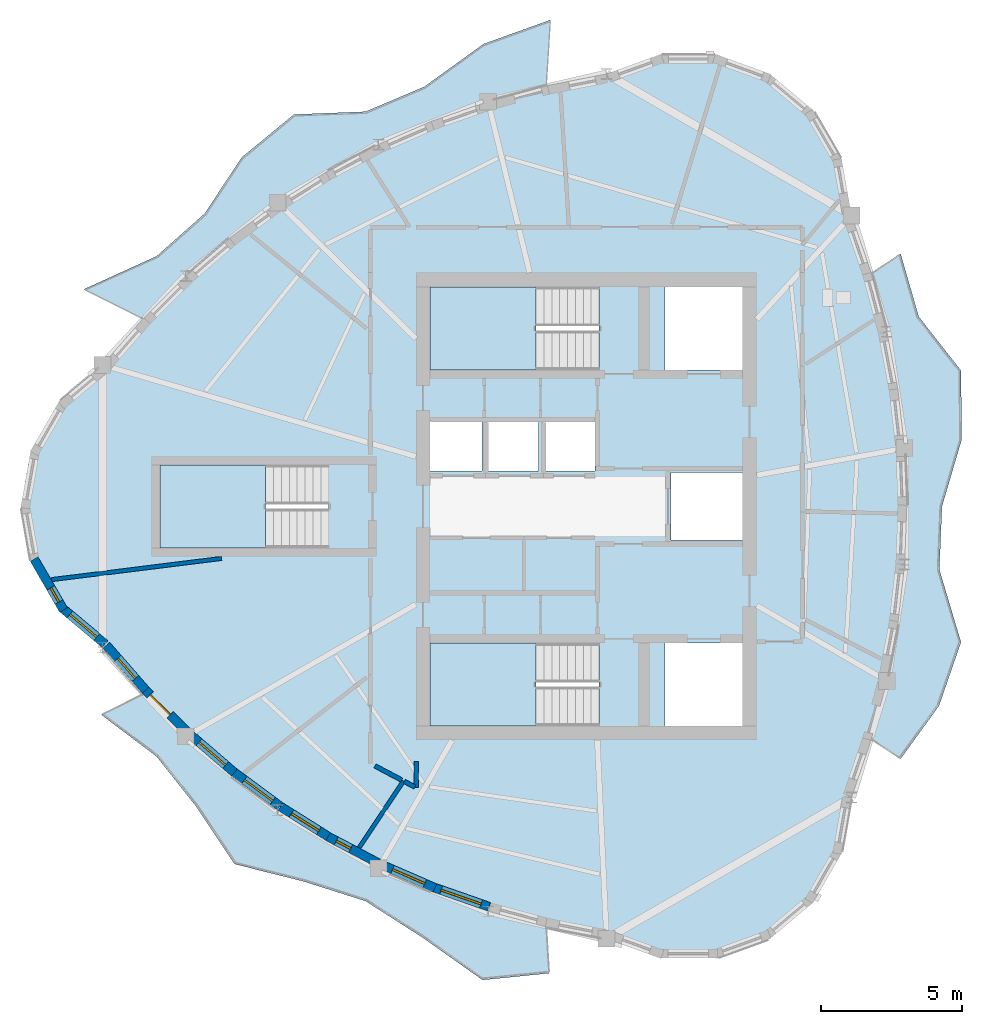
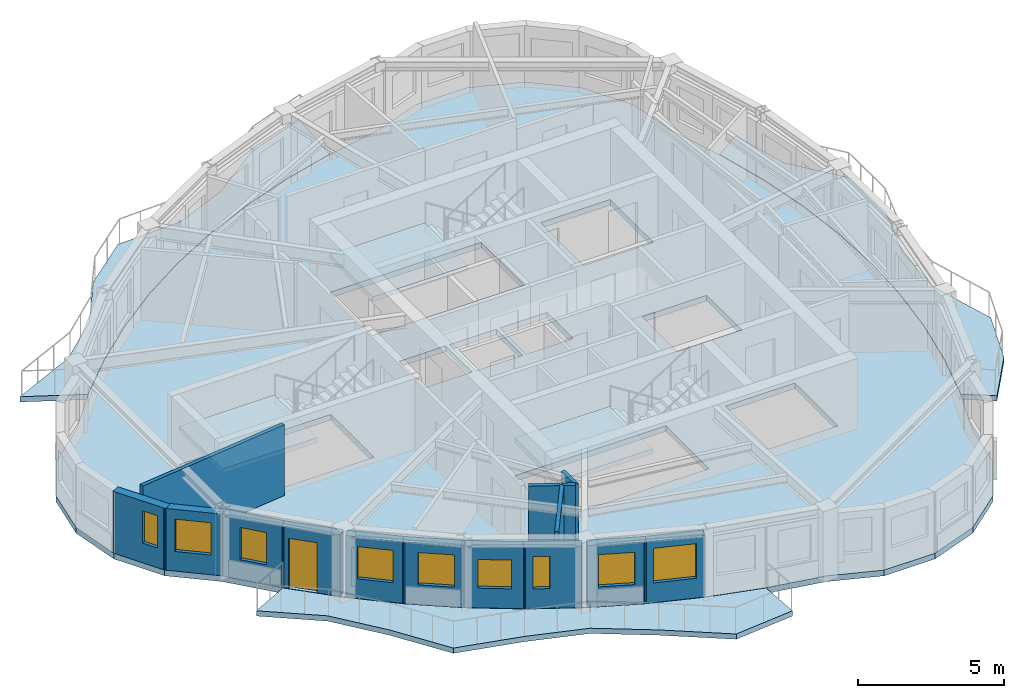
# One storey, part 2 of 11: 15 walls, 9 windows, 7 slabs, 1 door, 10 openings, 3 elements without a shape of their own.
"""IFC4 building model written with IfcOpenShell, lengths in metres."""

from ifc_helpers import new_model, si_unit, direction, frame, frame_2d, origin, place, context, subcontext, project, spatial, polyline, rectangle, outline, extrude, source, transform, mapped, material, layer, layer_set, type_object, element, fill, aggregate, save


model = new_model("IFC4")

# Units and contexts
model_context = context("Model", 3, precision=1e-05, world=origin(), true_north=direction((0.0, 1.0)))
body_context = subcontext(model_context, "Body", "Model", "MODEL_VIEW")
ifc_project = project(units=[si_unit("LENGTHUNIT", "METRE"), si_unit("AREAUNIT", "SQUARE_METRE"), si_unit("VOLUMEUNIT", "CUBIC_METRE"), si_unit("PLANEANGLEUNIT", "RADIAN"), si_unit("MASSUNIT", "GRAM", prefix="KILO")], contexts=[model_context])

# Site, building, storey
site_placement = place(None, origin())
site = spatial("IfcSite", under=ifc_project, at=site_placement, CompositionType="ELEMENT")
building_placement = place(site_placement, origin())
building = spatial("IfcBuilding", under=site, at=building_placement, Name="Qafzar Sky-Pleat Residences", CompositionType="ELEMENT")
storey_placement = place(building_placement, frame((0.0, 0.0, 243.60009765625)))
storey = spatial("IfcBuildingStorey", under=building, at=storey_placement, Name="L73", CompositionType="ELEMENT", Elevation=243.60009765625)

# Slabs
ifc_material_1 = material(Name="Concrete C40/50", Category="concrete")
ifc_layer_1 = layer(ifc_material_1, 0.219970703125)
ifc_layer_set_1 = layer_set([ifc_layer_1], Name="Concrete C40/50")
slab_type_1 = type_object("IfcSlabType", Name="SLAB-BAL-220", PredefinedType="USERDEFINED", material=ifc_layer_set_1)
slab_1_placement = place(storey_placement, frame((0.0, 0.0, -0.22021484375)))
element("IfcSlab", 1, at=slab_1_placement, inside=storey, type_object=slab_type_1, Name="L73 Pleated Stone Balcony 1", ObjectType="BALCONY", PredefinedType="USERDEFINED", context=body_context, shape_type="SweptSolid", body=[
    extrude(outline(polyline([(41.03515625, 19.793212890625), (41.4287109375, 21.862060546875), (41.664794921875, 23.930908203125), (41.743408203125, 26.0), (41.664794921875, 28.069091796875), (41.4287109375, 30.137939453125), (41.03515625, 32.206787109375), (40.484619140625, 34.275390625), (41.516357421875, 34.95947265625), (42.153076171875, 32.739013671875), (43.656005859375, 30.82421875), (43.6796875, 28.3740234375), (42.981201171875, 26.0), (42.888671875, 23.74560546875), (43.656005859375, 21.17578125), (42.875244140625, 18.9169921875), (41.516357421875, 17.04052734375), (40.484619140625, 17.724609375), (41.03515625, 19.793212890625)])), origin(), (0.0, 0.0, 1.0), 0.22021484375),
])
slab_2_placement = place(storey_placement, frame((0.0, 0.0, -0.22021484375)))
element("IfcSlab", 2, at=slab_2_placement, inside=storey, type_object=slab_type_1, Name="L73 Pleated Stone Balcony 2", ObjectType="BALCONY", PredefinedType="USERDEFINED", context=body_context, shape_type="SweptSolid", body=[
    extrude(outline(polyline([(26.857666015625, 40.39208984375), (24.869140625, 39.698486328125), (22.95947265625, 38.868408203125), (21.12841796875, 37.902099609375), (19.3759765625, 36.799560546875), (17.7021484375, 35.560546875), (16.107177734375, 34.185302734375), (14.591064453125, 32.674072265625), (12.50439453125, 33.712646484375), (15.08740234375, 34.88720703125), (16.794921875, 36.40283203125), (18.104248046875, 38.39208984375), (19.962890625, 39.920654296875), (22.508056640625, 40.021240234375), (24.593505859375, 40.905517578125), (26.6962890625, 42.423828125), (29.068359375, 43.27587890625), (28.924560546875, 40.94970703125), (26.857666015625, 40.39208984375)])), origin(), (0.0, 0.0, 1.0), 0.22021484375),
])
slab_3_placement = place(storey_placement, frame((0.0, 0.0, -0.22021484375)))
element("IfcSlab", 3, at=slab_3_placement, inside=storey, type_object=slab_type_1, Name="L73 Pleated Stone Balcony 3", ObjectType="BALCONY", PredefinedType="USERDEFINED", context=body_context, shape_type="SweptSolid", body=[
    extrude(outline(polyline([(16.107177734375, 17.814697265625), (17.7021484375, 16.439453125), (19.3759765625, 15.200439453125), (21.12841796875, 14.097900390625), (22.95947265625, 13.131591796875), (24.869140625, 12.301513671875), (26.857666015625, 11.60791015625), (28.924560546875, 11.05029296875), (29.025634765625, 9.41552734375), (26.664794921875, 9.177490234375), (24.50439453125, 10.70458984375), (22.508056640625, 11.978759765625), (20.309326171875, 12.679443359375), (17.8544921875, 13.29541015625), (16.501708984375, 15.324951171875), (15.08740234375, 17.11279296875), (13.124755859375, 18.595947265625), (14.591064453125, 19.325927734375), (16.107177734375, 17.814697265625)])), origin(), (0.0, 0.0, 1.0), 0.22021484375),
])
ifc_layer_2 = layer(ifc_material_1, 0.239990234375)
ifc_layer_set_2 = layer_set([ifc_layer_2], Name="Concrete C40/50")
slab_type_2 = type_object("IfcSlabType", Name="SLAB-FLR-240", PredefinedType="FLOOR", material=ifc_layer_set_2)
slab_4_placement = place(storey_placement, frame((0.0, 0.0, -0.239990234375)))
element("IfcSlab", 4, at=slab_4_placement, inside=storey, type_object=slab_type_2, Name="L73 Structural Floor Slab", PredefinedType="FLOOR", context=body_context, shape_type="SweptSolid", body=[
    extrude(outline(polyline([(13.1650390625, 31.02294921875), (11.621826171875, 29.728271484375), (10.61474609375, 27.983642578125), (10.264892578125, 26.0), (10.61474609375, 24.016357421875), (11.621826171875, 22.271728515625), (13.1650390625, 20.97705078125), (14.601806640625, 19.331298828125), (16.1171875, 17.8212890625), (17.7109375, 16.447509765625), (19.38330078125, 15.2099609375), (21.13427734375, 14.1083984375), (22.9638671875, 13.142578125), (24.871826171875, 12.313232421875), (26.858642578125, 11.619873046875), (28.923828125, 11.0625), (31.0673828125, 10.64111328125), (32.960205078125, 9.9521484375), (34.974609375, 9.9521484375), (36.867431640625, 10.64111328125), (38.41064453125, 11.935791015625), (39.417724609375, 13.680419921875), (39.767578125, 15.6640625), (40.474609375, 17.731201171875), (41.0244140625, 19.79833984375), (41.4169921875, 21.865478515625), (41.65283203125, 23.932861328125), (41.731201171875, 26.0), (41.65283203125, 28.067138671875), (41.4169921875, 30.134521484375), (41.0244140625, 32.20166015625), (40.474609375, 34.268798828125), (39.767578125, 36.3359375), (39.417724609375, 38.319580078125), (38.41064453125, 40.064208984375), (36.867431640625, 41.35888671875), (34.974609375, 42.0478515625), (32.960205078125, 42.0478515625), (31.0673828125, 41.35888671875), (28.923828125, 40.9375), (26.858642578125, 40.380126953125), (24.871826171875, 39.686767578125), (22.9638671875, 38.857421875), (21.13427734375, 37.8916015625), (19.38330078125, 36.7900390625), (17.7109375, 35.552490234375), (16.1171875, 34.1787109375), (14.601806640625, 32.668701171875), (13.1650390625, 31.02294921875)]), holes=[polyline([(30.797119140625, 21.14990234375), (24.800048828125, 21.14990234375), (24.800048828125, 18.199951171875), (30.797119140625, 18.199951171875), (30.797119140625, 21.14990234375)]), polyline([(30.797119140625, 33.800048828125), (24.800048828125, 33.800048828125), (24.800048828125, 30.85009765625), (30.797119140625, 30.85009765625), (30.797119140625, 33.800048828125)]), polyline([(21.197021484375, 27.47509765625), (15.199951171875, 27.47509765625), (15.199951171875, 24.52490234375), (21.197021484375, 24.52490234375), (21.197021484375, 27.47509765625)]), polyline([(24.800048828125, 27.25), (26.64990234375, 27.25), (26.64990234375, 29.050048828125), (24.800048828125, 29.050048828125), (24.800048828125, 27.25)]), polyline([(26.800048828125, 27.25), (28.64990234375, 27.25), (28.64990234375, 29.050048828125), (26.800048828125, 29.050048828125), (26.800048828125, 27.25)]), polyline([(28.800048828125, 27.25), (30.64990234375, 27.25), (30.64990234375, 29.050048828125), (28.800048828125, 29.050048828125), (28.800048828125, 27.25)]), polyline([(33.14990234375, 18.199951171875), (35.89990234375, 18.199951171875), (35.89990234375, 21.14990234375), (33.14990234375, 21.14990234375), (33.14990234375, 18.199951171875)]), polyline([(33.14990234375, 30.85009765625), (35.89990234375, 30.85009765625), (35.89990234375, 33.800048828125), (33.14990234375, 33.800048828125), (33.14990234375, 30.85009765625)]), polyline([(33.35009765625, 24.800048828125), (35.89990234375, 24.800048828125), (35.89990234375, 27.199951171875), (33.35009765625, 27.199951171875), (33.35009765625, 24.800048828125)])]), origin(), (0.0, 0.0, 1.0), 0.239990234375),
])

# Stair, slab
stair_type = type_object("IfcStairType", Name="STAIR-H320", PredefinedType="HALF_TURN_STAIR", material=ifc_material_1)
stair_1_placement = place(storey_placement, origin())
stair_1 = element("IfcStair", 5, at=stair_1_placement, inside=storey, type_object=stair_type, Name="L73 Protected Exit Stair ST1", PredefinedType="HALF_TURN_STAIR")
ifc_layer_3 = layer(ifc_material_1, 0.199951171875)
ifc_layer_set_3 = layer_set([ifc_layer_3], Name="Concrete C40/50")
slab_type_3 = type_object("IfcSlabType", Name="SLAB-LANDING-200", PredefinedType="LANDING", material=ifc_layer_set_3)
slab_5_placement = place(storey_placement, frame((0.0, 0.0, 1.39990234375)))
slab_5 = element("IfcSlab", 6, at=slab_5_placement, type_object=slab_type_3, Name="ST1 landing 1", PredefinedType="LANDING", context=body_context, shape_type="SweptSolid", body=[
    extrude(outline(polyline([(28.56005859375, 21.14990234375), (24.800048828125, 21.14990234375), (24.800048828125, 18.199951171875), (28.56005859375, 18.199951171875), (28.56005859375, 21.14990234375)])), origin(), (0.0, 0.0, 1.0), 0.199951171875),
])
aggregate(stair_1, [slab_5])

stair_2_placement = place(storey_placement, origin())
stair_2 = element("IfcStair", 7, at=stair_2_placement, inside=storey, type_object=stair_type, Name="L73 Protected Exit Stair ST2", PredefinedType="HALF_TURN_STAIR")
slab_6_placement = place(storey_placement, frame((0.0, 0.0, 1.39990234375)))
slab_6 = element("IfcSlab", 8, at=slab_6_placement, type_object=slab_type_3, Name="ST2 landing 1", PredefinedType="LANDING", context=body_context, shape_type="SweptSolid", body=[
    extrude(outline(polyline([(28.56005859375, 33.800048828125), (24.800048828125, 33.800048828125), (24.800048828125, 30.85009765625), (28.56005859375, 30.85009765625), (28.56005859375, 33.800048828125)])), origin(), (0.0, 0.0, 1.0), 0.199951171875),
])
aggregate(stair_2, [slab_6])

stair_3_placement = place(storey_placement, origin())
stair_3 = element("IfcStair", 9, at=stair_3_placement, inside=storey, type_object=stair_type, Name="L73 Protected Exit Stair ST3", PredefinedType="HALF_TURN_STAIR")
slab_7_placement = place(storey_placement, frame((0.0, 0.0, 1.39990234375)))
slab_7 = element("IfcSlab", 10, at=slab_7_placement, type_object=slab_type_3, Name="ST3 landing 1", PredefinedType="LANDING", context=body_context, shape_type="SweptSolid", body=[
    extrude(outline(polyline([(18.9599609375, 27.47509765625), (15.199951171875, 27.47509765625), (15.199951171875, 24.52490234375), (18.9599609375, 24.52490234375), (18.9599609375, 27.47509765625)])), origin(), (0.0, 0.0, 1.0), 0.199951171875),
])
aggregate(stair_3, [slab_7])

# Walls
ifc_material_2 = material(Name="Acoustic gypsum plasterboard partition", Category="gypsum")
ifc_layer_4 = layer(ifc_material_2, 0.159912109375)
ifc_layer_set_4 = layer_set([ifc_layer_4], Name="Acoustic gypsum plasterboard partition")
wall_type_1 = type_object("IfcWallType", Name="PART-COR-160", PredefinedType="PARTITIONING", material=ifc_layer_set_4)
wall_1_placement = place(storey_placement, frame((22.83935546875, 16.781494140625, 0.0), z_axis=(0.0, 0.0, 1.0), x_axis=(0.884533287542, -0.466477076853, 0.0)))
element("IfcWall", 11, at=wall_1_placement, inside=storey, type_object=wall_type_1, Name="L73 Partition Wall PART-L73-PW-025", PredefinedType="PARTITIONING", context=body_context, shape_type="SweptSolid", body=[
    extrude(rectangle(XDim=1.073974609375, YDim=0.159912109375, at=frame_2d((0.537109375, 0.0))), origin(), (0.0, 0.0, 1.0), 2.9599609375),
])
wall_2_placement = place(storey_placement, frame((24.300048828125, 16.010986328125, 0.0), z_axis=(0.0, 0.0, 1.0), x_axis=(0.0, 1.0, 0.0)))
element("IfcWall", 12, at=wall_2_placement, inside=storey, type_object=wall_type_1, Name="L73 Partition Wall PART-L73-PW-027", PredefinedType="PARTITIONING", context=body_context, shape_type="SweptSolid", body=[
    extrude(rectangle(XDim=0.929931640625, YDim=0.159912109375, at=frame_2d((0.46484375, 0.0))), origin(), (0.0, 0.0, 1.0), 2.9599609375),
])
wall_3_placement = place(storey_placement, frame((23.881103515625, 16.231689453125, 0.0), z_axis=(0.0, 0.0, 1.0), x_axis=(0.884769878191, -0.466028177953, 0.0)))
element("IfcWall", 13, at=wall_3_placement, inside=storey, type_object=wall_type_1, Name="L73 Partition Wall PART-L73-PW-032", PredefinedType="PARTITIONING", context=body_context, shape_type="SweptSolid", body=[
    extrude(rectangle(XDim=0.428466796875, YDim=0.159912109375, at=frame_2d((0.21435546875, 0.0))), origin(), (0.0, 0.0, 1.0), 2.9599609375),
])
ifc_layer_5 = layer(ifc_material_2, 0.14501953125)
ifc_layer_set_5 = layer_set([ifc_layer_5], Name="Acoustic gypsum plasterboard partition")
wall_type_2 = type_object("IfcWallType", Name="PART-UNIT-145", PredefinedType="PARTITIONING", material=ifc_layer_set_5)
wall_4_placement = place(storey_placement, frame((11.35400390625, 23.398193359375, 0.0), z_axis=(0.0, 0.0, 1.0), x_axis=(0.992337032495, 0.123560567901, 0.0)))
element("IfcWall", 14, at=wall_4_placement, inside=storey, type_object=wall_type_2, Name="L73 Partition Wall PART-L73-PW-012", PredefinedType="PARTITIONING", context=body_context, shape_type="SweptSolid", body=[
    extrude(rectangle(XDim=6.083740234375, YDim=0.14501953125, at=frame_2d((3.0419921875, 0.0))), origin(), (0.0, 0.0, 1.0), 2.9599609375),
])
wall_5_placement = place(storey_placement, frame((22.281005859375, 13.882080078125, 0.0), z_axis=(0.0, 0.0, 1.0), x_axis=(0.554204156683, 0.832380773874, 0.0)))
element("IfcWall", 15, at=wall_5_placement, inside=storey, type_object=wall_type_2, Name="L73 Partition Wall PART-L73-PW-020", PredefinedType="PARTITIONING", context=body_context, shape_type="SweptSolid", body=[
    extrude(rectangle(XDim=2.840087890625, YDim=0.14501953125, at=frame_2d((1.419921875, 0.0))), origin(), (0.0, 0.0, 1.0), 2.9599609375),
])

# Wall, opening, window
ifc_material_3 = material(Name="Precast concrete C40/50 with honed Riyadh limestone", Category="concrete")
ifc_layer_6 = layer(ifc_material_3, 0.320068359375)
ifc_layer_set_6 = layer_set([ifc_layer_6], Name="Precast concrete C40/50 with honed Riyadh limestone")
wall_type_3 = type_object("IfcWallType", Name="WALL-EXT-320", PredefinedType="SOLIDWALL", material=ifc_layer_set_6)
wall_6_placement = place(storey_placement, frame((10.734375, 24.129150390625, 0.0), z_axis=(0.0, 0.0, 1.0), x_axis=(0.499995423472, -0.866028046028, 0.0)))
wall_6 = element("IfcWall", 16, at=wall_6_placement, inside=storey, type_object=wall_type_3, Name="L73 Limestone Facade Wall 5", PredefinedType="SOLIDWALL", context=body_context, shape_type="SweptSolid", body=[
    extrude(rectangle(XDim=2.09033203125, YDim=0.320068359375, at=frame_2d((1.045166015625, 0.0))), origin(), (0.0, 0.0, 1.0), 2.579833984375),
])
opening_1_placement = place(wall_6_placement, frame((1.182373046875, 0.0, 0.820068359375)))
opening_1 = element("IfcOpeningElement", 17, at=opening_1_placement, cuts=wall_6, Name="Opening WN-17", PredefinedType="OPENING", context=body_context, shape_type="SweptSolid", body=[
    extrude(rectangle(XDim=0.580078125, YDim=1.35009765625, at=frame_2d((0.2900390625, 0.675048828125))), frame((0.0, 0.169921875, 0.0), z_axis=(0.0, -1.0, 0.0), x_axis=(1.0, 0.0, 0.0)), (0.0, 0.0, 1.0), 0.340087890625),
])
ifc_material_4 = material(Name="Solar-control low-E glass in bronze aluminium frame", Category="glass")
window_type_1 = type_object("IfcWindowType", Name="WIN-17", PartitioningType="SINGLE_PANEL", PredefinedType="WINDOW", material=ifc_material_4)
shared_shape_1 = source(origin(), body_context, "Body", "SweptSolid", [
    extrude(rectangle(XDim=0.580078125, YDim=1.35009765625, at=frame_2d((0.2900390625, 0.675048828125))), frame((0.0, 0.030029296875, 0.0), z_axis=(0.0, -1.0, 0.0), x_axis=(1.0, 0.0, 0.0)), (0.0, 0.0, 1.0), 0.06005859375),
])
window_1_placement = place(opening_1_placement, origin())
window_1 = element("IfcWindow", 18, at=window_1_placement, inside=storey, type_object=window_type_1, Name="L73 Punched Facade Window 05-2", OverallHeight=1.35009765625, OverallWidth=0.580078125, PartitioningType="SINGLE_PANEL", PredefinedType="WINDOW", context=body_context, shape_type="MappedRepresentation", body=[
    mapped(shared_shape_1, transform((0.0, 0.0, 0.0), x_axis=(1.0, 0.0, 0.0), y_axis=(0.0, 1.0, 0.0), z_axis=(0.0, 0.0, 1.0), scale=1.0)),
])
fill(opening_1, window_1)

wall_7_placement = place(storey_placement, frame((11.695556640625, 22.418701171875, 0.0), z_axis=(0.0, 0.0, 1.0), x_axis=(0.766099948115, -0.642721455608, 0.0)))
wall_7 = element("IfcWall", 19, at=wall_7_placement, inside=storey, type_object=wall_type_3, Name="L73 Limestone Facade Wall 6", PredefinedType="SOLIDWALL", context=body_context, shape_type="SweptSolid", body=[
    extrude(rectangle(XDim=2.0322265625, YDim=0.320068359375, at=frame_2d((1.01611328125, 0.0))), origin(), (0.0, 0.0, 1.0), 2.579833984375),
])
opening_2_placement = place(wall_7_placement, frame((0.401123046875, 0.0, 0.820068359375)))
opening_2 = element("IfcOpeningElement", 20, at=opening_2_placement, cuts=wall_7, Name="Opening WN-11", PredefinedType="OPENING", context=body_context, shape_type="SweptSolid", body=[
    extrude(rectangle(XDim=1.25, YDim=1.35009765625, at=frame_2d((0.625, 0.675048828125))), frame((0.0, 0.169921875, 0.0), z_axis=(0.0, -1.0, 0.0), x_axis=(1.0, 0.0, 0.0)), (0.0, 0.0, 1.0), 0.340087890625),
])
window_type_2 = type_object("IfcWindowType", Name="WIN-11", PartitioningType="SINGLE_PANEL", PredefinedType="WINDOW", material=ifc_material_4)
shared_shape_2 = source(origin(), body_context, "Body", "SweptSolid", [
    extrude(rectangle(XDim=1.25, YDim=1.35009765625, at=frame_2d((0.625, 0.675048828125))), frame((0.0, 0.030029296875, 0.0), z_axis=(0.0, -1.0, 0.0), x_axis=(1.0, 0.0, 0.0)), (0.0, 0.0, 1.0), 0.06005859375),
])
window_2_placement = place(opening_2_placement, origin())
window_2 = element("IfcWindow", 21, at=window_2_placement, inside=storey, type_object=window_type_2, Name="L73 Punched Facade Window 06", OverallHeight=1.35009765625, OverallWidth=1.25, PartitioningType="SINGLE_PANEL", PredefinedType="WINDOW", context=body_context, shape_type="MappedRepresentation", body=[
    mapped(shared_shape_2, transform((0.0, 0.0, 0.0), x_axis=(1.0, 0.0, 0.0), y_axis=(0.0, 1.0, 0.0), z_axis=(0.0, 0.0, 1.0), scale=1.0)),
])
fill(opening_2, window_2)

wall_8_placement = place(storey_placement, frame((13.298583984375, 21.0673828125, 0.0), z_axis=(0.0, 0.0, 1.0), x_axis=(0.657609731914, -0.753358772759, 0.0)))
wall_8 = element("IfcWall", 22, at=wall_8_placement, inside=storey, type_object=wall_type_3, Name="L73 Limestone Facade Wall 7", PredefinedType="SOLIDWALL", context=body_context, shape_type="SweptSolid", body=[
    extrude(rectangle(XDim=2.203125, YDim=0.320068359375, at=frame_2d((1.1015625, 0.0))), origin(), (0.0, 0.0, 1.0), 2.579833984375),
])
opening_3_placement = place(wall_8_placement, frame((0.616455078125, 0.0, 0.820068359375)))
opening_3 = element("IfcOpeningElement", 23, at=opening_3_placement, cuts=wall_8, Name="Opening WN-12", PredefinedType="OPENING", context=body_context, shape_type="SweptSolid", body=[
    extrude(rectangle(XDim=0.949951171875, YDim=1.35009765625, at=frame_2d((0.47509765625, 0.675048828125))), frame((0.0, 0.169921875, 0.0), z_axis=(0.0, -1.0, 0.0), x_axis=(1.0, 0.0, 0.0)), (0.0, 0.0, 1.0), 0.340087890625),
])
window_type_3 = type_object("IfcWindowType", Name="WIN-12", PartitioningType="SINGLE_PANEL", PredefinedType="WINDOW", material=ifc_material_4)
shared_shape_3 = source(origin(), body_context, "Body", "SweptSolid", [
    extrude(rectangle(XDim=0.949951171875, YDim=1.35009765625, at=frame_2d((0.47509765625, 0.675048828125))), frame((0.0, 0.030029296875, 0.0), z_axis=(0.0, -1.0, 0.0), x_axis=(1.0, 0.0, 0.0)), (0.0, 0.0, 1.0), 0.06005859375),
])
window_3_placement = place(opening_3_placement, origin())
window_3 = element("IfcWindow", 24, at=window_3_placement, inside=storey, type_object=window_type_3, Name="L73 Punched Facade Window 07", OverallHeight=1.35009765625, OverallWidth=0.949951171875, PartitioningType="SINGLE_PANEL", PredefinedType="WINDOW", context=body_context, shape_type="MappedRepresentation", body=[
    mapped(shared_shape_3, transform((0.0, 0.0, 0.0), x_axis=(1.0, 0.0, 0.0), y_axis=(0.0, 1.0, 0.0), z_axis=(0.0, 0.0, 1.0), scale=1.0)),
])
fill(opening_3, window_3)

# Wall, opening, door
wall_9_placement = place(storey_placement, frame((14.687744140625, 19.471435546875, 0.0), z_axis=(0.0, 0.0, 1.0), x_axis=(0.708392320445, -0.705818900522, 0.0)))
wall_9 = element("IfcWall", 25, at=wall_9_placement, inside=storey, type_object=wall_type_3, Name="L73 Limestone Facade Wall 8", PredefinedType="SOLIDWALL", context=body_context, shape_type="SweptSolid", body=[
    extrude(rectangle(XDim=2.087158203125, YDim=0.320068359375, at=frame_2d((1.04345703125, 0.0))), origin(), (0.0, 0.0, 1.0), 2.579833984375),
])
opening_4_placement = place(wall_9_placement, frame((0.239990234375, 0.0, 0.0)))
opening_4 = element("IfcOpeningElement", 26, at=opening_4_placement, cuts=wall_9, Name="Opening ED-05", PredefinedType="OPENING", context=body_context, shape_type="SweptSolid", body=[
    extrude(rectangle(XDim=1.0, YDim=2.10009765625, at=frame_2d((0.5, 1.050048828125))), frame((0.0, 0.169921875, 0.0), z_axis=(0.0, -1.0, 0.0), x_axis=(1.0, 0.0, 0.0)), (0.0, 0.0, 1.0), 0.340087890625),
])
ifc_material_5 = material(Name="Glazed bronze aluminium door", Category="aluminium")
door_type = type_object("IfcDoorType", Name="DR-BAL-1000", OperationType="NOTDEFINED", PredefinedType="DOOR", material=ifc_material_5)
shared_shape_4 = source(origin(), body_context, "Body", "SweptSolid", [
    extrude(rectangle(XDim=1.0, YDim=2.10009765625, at=frame_2d((0.5, 1.050048828125))), frame((0.0, 0.02490234375, 0.0), z_axis=(0.0, -1.0, 0.0), x_axis=(1.0, 0.0, 0.0)), (0.0, 0.0, 1.0), 0.050048828125),
])
door_placement = place(opening_4_placement, origin())
door = element("IfcDoor", 27, at=door_placement, inside=storey, type_object=door_type, Name="L73 Glazed Balcony Door 3", OperationType="SINGLE_SWING_LEFT", OverallHeight=2.10009765625, OverallWidth=1.0, PredefinedType="DOOR", context=body_context, shape_type="MappedRepresentation", body=[
    mapped(shared_shape_4, transform((0.0, 0.0, 0.0), x_axis=(1.0, 0.0, 0.0), y_axis=(0.0, 1.0, 0.0), z_axis=(0.0, 0.0, 1.0), scale=1.0)),
])
fill(opening_4, door)

# Wall, opening, window
wall_10_placement = place(storey_placement, frame((16.289794921875, 17.8837890625, 0.0), z_axis=(0.0, 0.0, 1.0), x_axis=(0.757405903716, -0.652944329186, 0.0)))
wall_10 = element("IfcWall", 28, at=wall_10_placement, inside=storey, type_object=wall_type_3, Name="L73 Limestone Facade Wall 9", PredefinedType="SOLIDWALL", context=body_context, shape_type="SweptSolid", body=[
    extrude(rectangle(XDim=2.052001953125, YDim=0.320068359375, at=frame_2d((1.02587890625, 0.0))), origin(), (0.0, 0.0, 1.0), 2.579833984375),
])
opening_5_placement = place(wall_10_placement, frame((0.39599609375, 0.0, 0.820068359375)))
opening_5 = element("IfcOpeningElement", 29, at=opening_5_placement, cuts=wall_10, Name="Opening WN-11", PredefinedType="OPENING", context=body_context, shape_type="SweptSolid", body=[
    extrude(rectangle(XDim=1.25, YDim=1.35009765625, at=frame_2d((0.625, 0.675048828125))), frame((0.0, 0.169921875, 0.0), z_axis=(0.0, -1.0, 0.0), x_axis=(1.0, 0.0, 0.0)), (0.0, 0.0, 1.0), 0.340087890625),
])
window_4_placement = place(opening_5_placement, origin())
window_4 = element("IfcWindow", 30, at=window_4_placement, inside=storey, type_object=window_type_2, Name="L73 Punched Facade Window 09", OverallHeight=1.35009765625, OverallWidth=1.25, PartitioningType="SINGLE_PANEL", PredefinedType="WINDOW", context=body_context, shape_type="MappedRepresentation", body=[
    mapped(shared_shape_2, transform((0.0, 0.0, 0.0), x_axis=(1.0, 0.0, 0.0), y_axis=(0.0, 1.0, 0.0), z_axis=(0.0, 0.0, 1.0), scale=1.0)),
])
fill(opening_5, window_4)

wall_11_placement = place(storey_placement, frame((17.775390625, 16.598876953125, 0.0), z_axis=(0.0, 0.0, 1.0), x_axis=(0.803808524664, -0.594888103493, 0.0)))
wall_11 = element("IfcWall", 31, at=wall_11_placement, inside=storey, type_object=wall_type_3, Name="L73 Limestone Facade Wall 10", PredefinedType="SOLIDWALL", context=body_context, shape_type="SweptSolid", body=[
    extrude(rectangle(XDim=2.098876953125, YDim=0.320068359375, at=frame_2d((1.04931640625, 0.0))), origin(), (0.0, 0.0, 1.0), 2.579833984375),
])
opening_6_placement = place(wall_11_placement, frame((0.532958984375, 0.0, 0.820068359375)))
opening_6 = element("IfcOpeningElement", 32, at=opening_6_placement, cuts=wall_11, Name="Opening WN-11", PredefinedType="OPENING", context=body_context, shape_type="SweptSolid", body=[
    extrude(rectangle(XDim=1.25, YDim=1.35009765625, at=frame_2d((0.625, 0.675048828125))), frame((0.0, 0.169921875, 0.0), z_axis=(0.0, -1.0, 0.0), x_axis=(1.0, 0.0, 0.0)), (0.0, 0.0, 1.0), 0.340087890625),
])
window_5_placement = place(opening_6_placement, origin())
window_5 = element("IfcWindow", 33, at=window_5_placement, inside=storey, type_object=window_type_2, Name="L73 Punched Facade Window 10", OverallHeight=1.35009765625, OverallWidth=1.25, PartitioningType="SINGLE_PANEL", PredefinedType="WINDOW", context=body_context, shape_type="MappedRepresentation", body=[
    mapped(shared_shape_2, transform((0.0, 0.0, 0.0), x_axis=(1.0, 0.0, 0.0), y_axis=(0.0, 1.0, 0.0), z_axis=(0.0, 0.0, 1.0), scale=1.0)),
])
fill(opening_6, window_5)

wall_12_placement = place(storey_placement, frame((19.485595703125, 15.334716796875, 0.0), z_axis=(0.0, 0.0, 1.0), x_axis=(0.846377392327, -0.532583617621, 0.0)))
wall_12 = element("IfcWall", 34, at=wall_12_placement, inside=storey, type_object=wall_type_3, Name="L73 Limestone Facade Wall 11", PredefinedType="SOLIDWALL", context=body_context, shape_type="SweptSolid", body=[
    extrude(rectangle(XDim=2.086669921875, YDim=0.320068359375, at=frame_2d((1.04345703125, 0.0))), origin(), (0.0, 0.0, 1.0), 2.579833984375),
])
opening_7_placement = place(wall_12_placement, frame((0.458251953125, 0.0, 0.820068359375)))
opening_7 = element("IfcOpeningElement", 35, at=opening_7_placement, cuts=wall_12, Name="Opening WN-16", PredefinedType="OPENING", context=body_context, shape_type="SweptSolid", body=[
    extrude(rectangle(XDim=1.14990234375, YDim=1.199951171875, at=frame_2d((0.574951171875, 0.60009765625))), frame((0.0, 0.169921875, 0.0), z_axis=(0.0, -1.0, 0.0), x_axis=(1.0, 0.0, 0.0)), (0.0, 0.0, 1.0), 0.340087890625),
])
window_type_4 = type_object("IfcWindowType", Name="WIN-16", PartitioningType="SINGLE_PANEL", PredefinedType="WINDOW", material=ifc_material_4)
shared_shape_5 = source(origin(), body_context, "Body", "SweptSolid", [
    extrude(rectangle(XDim=1.14990234375, YDim=1.199951171875, at=frame_2d((0.574951171875, 0.60009765625))), frame((0.0, 0.030029296875, 0.0), z_axis=(0.0, -1.0, 0.0), x_axis=(1.0, 0.0, 0.0)), (0.0, 0.0, 1.0), 0.06005859375),
])
window_6_placement = place(opening_7_placement, origin())
window_6 = element("IfcWindow", 36, at=window_6_placement, inside=storey, type_object=window_type_4, Name="L73 Punched Facade Window 11", OverallHeight=1.199951171875, OverallWidth=1.14990234375, PartitioningType="SINGLE_PANEL", PredefinedType="WINDOW", context=body_context, shape_type="MappedRepresentation", body=[
    mapped(shared_shape_5, transform((0.0, 0.0, 0.0), x_axis=(1.0, 0.0, 0.0), y_axis=(0.0, 1.0, 0.0), z_axis=(0.0, 0.0, 1.0), scale=1.0)),
])
fill(opening_7, window_6)

wall_13_placement = place(storey_placement, frame((21.17529296875, 14.267578125, 0.0), z_axis=(0.0, 0.0, 1.0), x_axis=(0.88438197682, -0.466763879362, 0.0)))
wall_13 = element("IfcWall", 37, at=wall_13_placement, inside=storey, type_object=wall_type_3, Name="L73 Limestone Facade Wall 12", PredefinedType="SOLIDWALL", context=body_context, shape_type="SweptSolid", body=[
    extrude(rectangle(XDim=2.016845703125, YDim=0.320068359375, at=frame_2d((1.00830078125, 0.0))), origin(), (0.0, 0.0, 1.0), 2.579833984375),
])
opening_8_placement = place(wall_13_placement, frame((0.327392578125, 0.0, 0.820068359375)))
opening_8 = element("IfcOpeningElement", 38, at=opening_8_placement, cuts=wall_13, Name="Opening WN-17", PredefinedType="OPENING", context=body_context, shape_type="SweptSolid", body=[
    extrude(rectangle(XDim=0.580078125, YDim=1.35009765625, at=frame_2d((0.2900390625, 0.675048828125))), frame((0.0, 0.169921875, 0.0), z_axis=(0.0, -1.0, 0.0), x_axis=(1.0, 0.0, 0.0)), (0.0, 0.0, 1.0), 0.340087890625),
])
window_7_placement = place(opening_8_placement, origin())
window_7 = element("IfcWindow", 39, at=window_7_placement, inside=storey, type_object=window_type_1, Name="L73 Punched Facade Window 12", OverallHeight=1.35009765625, OverallWidth=0.580078125, PartitioningType="SINGLE_PANEL", PredefinedType="WINDOW", context=body_context, shape_type="MappedRepresentation", body=[
    mapped(shared_shape_1, transform((0.0, 0.0, 0.0), x_axis=(1.0, 0.0, 0.0), y_axis=(0.0, 1.0, 0.0), z_axis=(0.0, 0.0, 1.0), scale=1.0)),
])
fill(opening_8, window_7)

wall_14_placement = place(storey_placement, frame((23.110107421875, 13.253662109375, 0.0), z_axis=(0.0, 0.0, 1.0), x_axis=(0.917071969608, -0.398721710671, 0.0)))
wall_14 = element("IfcWall", 40, at=wall_14_placement, inside=storey, type_object=wall_type_3, Name="L73 Limestone Facade Wall 13", PredefinedType="SOLIDWALL", context=body_context, shape_type="SweptSolid", body=[
    extrude(rectangle(XDim=2.028564453125, YDim=0.320068359375, at=frame_2d((1.01416015625, 0.0))), origin(), (0.0, 0.0, 1.0), 2.579833984375),
])
opening_9_placement = place(wall_14_placement, frame((0.38427734375, 0.0, 0.820068359375)))
opening_9 = element("IfcOpeningElement", 41, at=opening_9_placement, cuts=wall_14, Name="Opening WN-11", PredefinedType="OPENING", context=body_context, shape_type="SweptSolid", body=[
    extrude(rectangle(XDim=1.25, YDim=1.35009765625, at=frame_2d((0.625, 0.675048828125))), frame((0.0, 0.169921875, 0.0), z_axis=(0.0, -1.0, 0.0), x_axis=(1.0, 0.0, 0.0)), (0.0, 0.0, 1.0), 0.340087890625),
])
window_8_placement = place(opening_9_placement, origin())
window_8 = element("IfcWindow", 42, at=window_8_placement, inside=storey, type_object=window_type_2, Name="L73 Punched Facade Window 13", OverallHeight=1.35009765625, OverallWidth=1.25, PartitioningType="SINGLE_PANEL", PredefinedType="WINDOW", context=body_context, shape_type="MappedRepresentation", body=[
    mapped(shared_shape_2, transform((0.0, 0.0, 0.0), x_axis=(1.0, 0.0, 0.0), y_axis=(0.0, 1.0, 0.0), z_axis=(0.0, 0.0, 1.0), scale=1.0)),
])
fill(opening_9, window_8)

wall_15_placement = place(storey_placement, frame((24.888671875, 12.476806640625, 0.0), z_axis=(0.0, 0.0, 1.0), x_axis=(0.944161068915, -0.329484257508, 0.0)))
wall_15 = element("IfcWall", 43, at=wall_15_placement, inside=storey, type_object=wall_type_3, Name="L73 Limestone Facade Wall 14", PredefinedType="SOLIDWALL", context=body_context, shape_type="SweptSolid", body=[
    extrude(rectangle(XDim=2.1220703125, YDim=0.320068359375, at=frame_2d((1.06103515625, 0.0))), origin(), (0.0, 0.0, 1.0), 2.579833984375),
])
opening_10_placement = place(wall_15_placement, frame((0.321044921875, 0.0, 0.820068359375)))
opening_10 = element("IfcOpeningElement", 44, at=opening_10_placement, cuts=wall_15, Name="Opening WN-03", PredefinedType="OPENING", context=body_context, shape_type="SweptSolid", body=[
    extrude(rectangle(XDim=1.5, YDim=1.449951171875, at=frame_2d((0.75, 0.72509765625))), frame((0.0, 0.169921875, 0.0), z_axis=(0.0, -1.0, 0.0), x_axis=(1.0, 0.0, 0.0)), (0.0, 0.0, 1.0), 0.340087890625),
])
window_type_5 = type_object("IfcWindowType", Name="WIN-03", PartitioningType="DOUBLE_PANEL_VERTICAL", PredefinedType="WINDOW", material=ifc_material_4)
shared_shape_6 = source(origin(), body_context, "Body", "SweptSolid", [
    extrude(rectangle(XDim=1.5, YDim=1.449951171875, at=frame_2d((0.75, 0.72509765625))), frame((0.0, 0.030029296875, 0.0), z_axis=(0.0, -1.0, 0.0), x_axis=(1.0, 0.0, 0.0)), (0.0, 0.0, 1.0), 0.06005859375),
])
window_9_placement = place(opening_10_placement, origin())
window_9 = element("IfcWindow", 45, at=window_9_placement, inside=storey, type_object=window_type_5, Name="L73 Punched Facade Window 14", OverallHeight=1.449951171875, OverallWidth=1.5, PartitioningType="SINGLE_PANEL", PredefinedType="WINDOW", context=body_context, shape_type="MappedRepresentation", body=[
    mapped(shared_shape_6, transform((0.0, 0.0, 0.0), x_axis=(1.0, 0.0, 0.0), y_axis=(0.0, 1.0, 0.0), z_axis=(0.0, 0.0, 1.0), scale=1.0)),
])
fill(opening_10, window_9)

save(model, "model.ifc")
